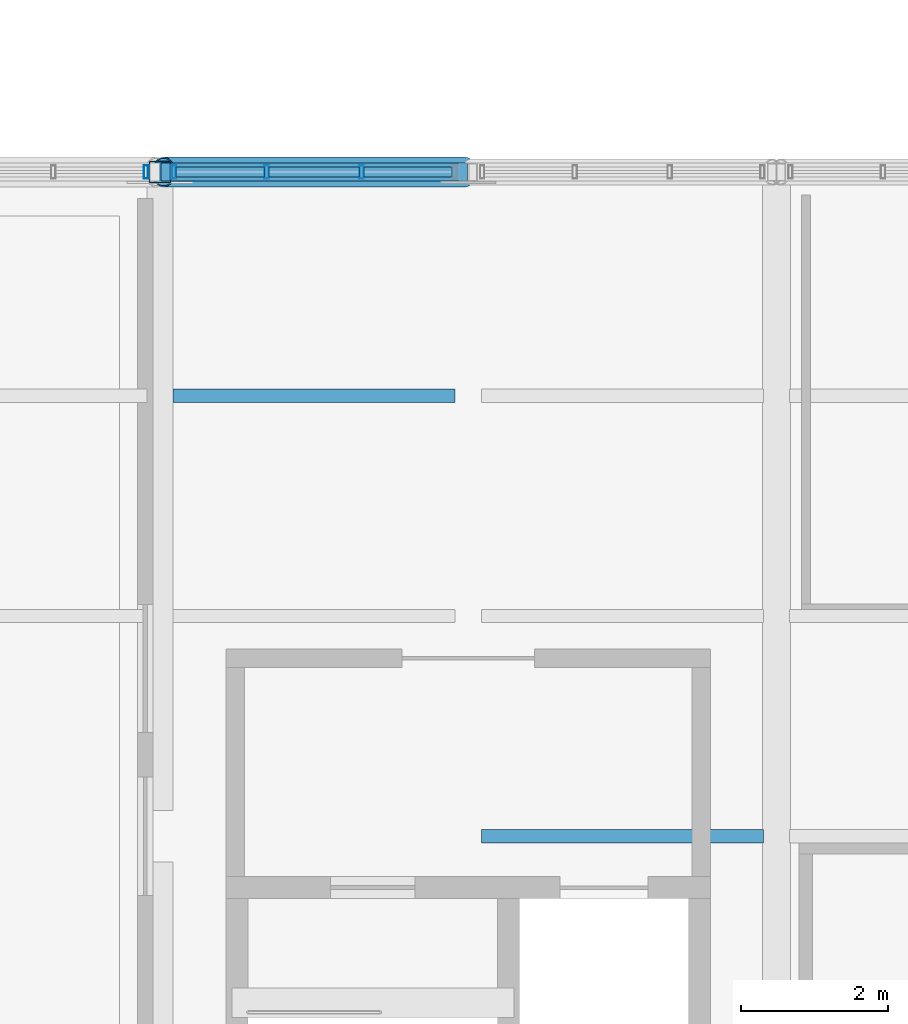
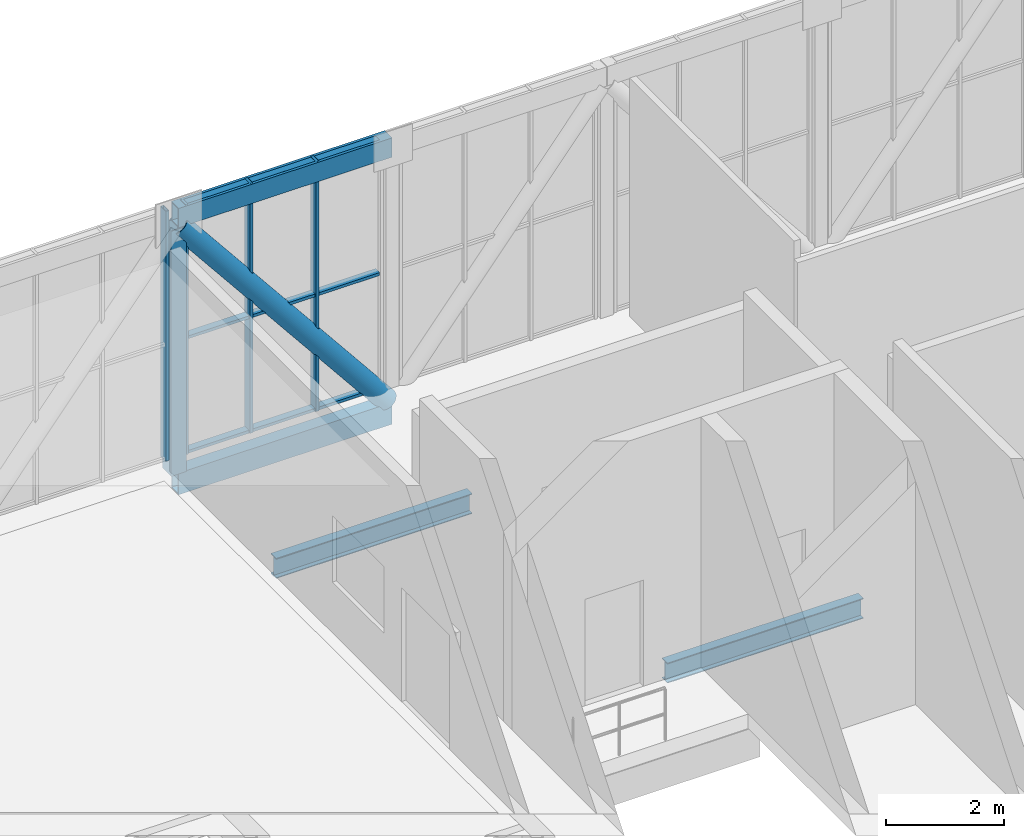
# One storey, part 13 of 58: 17 members, 2 beams, 2 elements without a shape of their own.
"""IFC4 building model written with IfcOpenShell, lengths in metres."""

from ifc_helpers import new_model, si_unit, direction, frame, origin, origin_2d, place, context, subcontext, project, spatial, hollow_rectangle, hollow_circle, i_section, extrude, material, material_profile, profile_set, type_object, element, aggregate, save


model = new_model("IFC4")

# Units and contexts
model_context = context("Model", 3, precision=1e-05, world=origin(), true_north=direction((0.0, 1.0)))
body_context = subcontext(model_context, "Body", "Model", "MODEL_VIEW")
ifc_project = project(units=[si_unit("LENGTHUNIT", "METRE"), si_unit("AREAUNIT", "SQUARE_METRE"), si_unit("VOLUMEUNIT", "CUBIC_METRE"), si_unit("PLANEANGLEUNIT", "RADIAN"), si_unit("MASSUNIT", "GRAM", prefix="KILO")], contexts=[model_context])

# Site, building, storey
site_placement = place(None, origin())
site = spatial("IfcSite", under=ifc_project, at=site_placement, CompositionType="ELEMENT")
building_placement = place(site_placement, origin())
building = spatial("IfcBuilding", under=site, at=building_placement, Name="Khurvash Pelagic Aquarium", CompositionType="ELEMENT")
storey_placement = place(building_placement, frame((0.0, 0.0, 24.60009765625)))
storey = spatial("IfcBuildingStorey", under=building, at=storey_placement, Name="L05", CompositionType="ELEMENT", Elevation=24.60009765625)

# Curtain wall, member
ifc_material_1 = material(Name="Anodised aluminium and low-E laminated glass", Category="aluminium")
curtain_wall_type = type_object("IfcCurtainWallType", Name="CW-01", PredefinedType="USERDEFINED", material=ifc_material_1)
curtain_wall_1_placement = place(storey_placement, origin())
curtain_wall_1 = element("IfcCurtainWall", 1, at=curtain_wall_1_placement, inside=storey, type_object=curtain_wall_type, Name="L05 North Sky-Bar Unitised Curtain Wall CW-01 P03", ObjectType="UNITISED CURTAIN WALL", PredefinedType="USERDEFINED")
ifc_material_2 = material(Name="Extruded aluminium AW-6063-T6", Category="aluminium")
ifc_material_profile_1 = material_profile(ifc_material_2, hollow_rectangle(XDim=0.06005859375, YDim=0.179931640625, WallThickness=0.00390625, at=origin_2d()), Name="CWM60X180X4")
ifc_profile_set_1 = profile_set([ifc_material_profile_1], Name="Extruded aluminium AW-6063-T6")
member_type_1 = type_object("IfcMemberType", Name="CM-01", PredefinedType="MULLION", material=ifc_profile_set_1)
member_1_placement = place(storey_placement, frame((25.010009765625, 29.75, 0.0), z_axis=(0.0, 0.0, 1.0), x_axis=(1.0, 0.0, 0.0)))
member_1 = element("IfcMember", 2, at=member_1_placement, type_object=member_type_1, Name="CW-01 mullion 4", PredefinedType="MULLION", context=body_context, shape_type="SweptSolid", body=[
    extrude(hollow_rectangle(XDim=0.06005859375, YDim=0.179931640625, WallThickness=0.00390625, at=origin_2d()), origin(), (0.0, 0.0, 1.0), 5.179931640625),
])
aggregate(curtain_wall_1, [member_1])

# Curtain wall, members
curtain_wall_2_placement = place(storey_placement, origin())
curtain_wall_2 = element("IfcCurtainWall", 3, at=curtain_wall_2_placement, inside=storey, type_object=curtain_wall_type, Name="L05 North Sky-Bar Unitised Curtain Wall CW-01 P04", ObjectType="UNITISED CURTAIN WALL", PredefinedType="USERDEFINED")
member_2_placement = place(storey_placement, frame((25.389892578125, 29.75, 0.0), z_axis=(0.0, 0.0, 1.0), x_axis=(1.0, 0.0, 0.0)))
member_2 = element("IfcMember", 4, at=member_2_placement, type_object=member_type_1, Name="CW-01 mullion 1", PredefinedType="MULLION", context=body_context, shape_type="SweptSolid", body=[
    extrude(hollow_rectangle(XDim=0.06005859375, YDim=0.179931640625, WallThickness=0.00390625, at=origin_2d()), origin(), (0.0, 0.0, 1.0), 5.179931640625),
])
member_3_placement = place(storey_placement, frame((26.6533203125, 29.75, 0.0), z_axis=(0.0, 0.0, 1.0), x_axis=(1.0, 0.0, 0.0)))
member_3 = element("IfcMember", 5, at=member_3_placement, type_object=member_type_1, Name="CW-01 mullion 2", PredefinedType="MULLION", context=body_context, shape_type="SweptSolid", body=[
    extrude(hollow_rectangle(XDim=0.06005859375, YDim=0.179931640625, WallThickness=0.00390625, at=origin_2d()), origin(), (0.0, 0.0, 1.0), 5.179931640625),
])
member_4_placement = place(storey_placement, frame((27.94677734375, 29.75, 0.0), z_axis=(0.0, 0.0, 1.0), x_axis=(1.0, 0.0, 0.0)))
member_4 = element("IfcMember", 6, at=member_4_placement, type_object=member_type_1, Name="CW-01 mullion 3", PredefinedType="MULLION", context=body_context, shape_type="SweptSolid", body=[
    extrude(hollow_rectangle(XDim=0.06005859375, YDim=0.179931640625, WallThickness=0.00390625, at=origin_2d()), origin(), (0.0, 0.0, 1.0), 5.179931640625),
])
ifc_material_profile_2 = material_profile(ifc_material_2, hollow_rectangle(XDim=0.139892578125, YDim=0.06005859375, WallThickness=0.00390625, at=origin_2d()), Name="CWT140X60X4")
ifc_profile_set_2 = profile_set([ifc_material_profile_2], Name="Extruded aluminium AW-6063-T6")
member_type_2 = type_object("IfcMemberType", Name="CT-01", PredefinedType="USERDEFINED", material=ifc_profile_set_2)
member_5_placement = place(storey_placement, frame((25.419921875, 29.75, 0.02978515625), z_axis=(1.0, 0.0, 0.0), x_axis=(0.0, 1.0, 0.0)))
member_5 = element("IfcMember", 7, at=member_5_placement, type_object=member_type_2, Name="CW-01 transom 1.1", ObjectType="TRANSOM", PredefinedType="USERDEFINED", context=body_context, shape_type="SweptSolid", body=[
    extrude(hollow_rectangle(XDim=0.139892578125, YDim=0.06005859375, WallThickness=0.00390625, at=origin_2d()), origin(), (0.0, 0.0, 1.0), 1.203369140625),
])
member_6_placement = place(storey_placement, frame((25.419921875, 29.75, 2.39990234375), z_axis=(1.0, 0.0, 0.0), x_axis=(0.0, 1.0, 0.0)))
member_6 = element("IfcMember", 8, at=member_6_placement, type_object=member_type_2, Name="CW-01 transom 1.2", ObjectType="TRANSOM", PredefinedType="USERDEFINED", context=body_context, shape_type="SweptSolid", body=[
    extrude(hollow_rectangle(XDim=0.139892578125, YDim=0.06005859375, WallThickness=0.00390625, at=origin_2d()), origin(), (0.0, 0.0, 1.0), 1.203369140625),
])
member_7_placement = place(storey_placement, frame((25.419921875, 29.75, 5.14990234375), z_axis=(1.0, 0.0, 0.0), x_axis=(0.0, 1.0, 0.0)))
member_7 = element("IfcMember", 9, at=member_7_placement, type_object=member_type_2, Name="CW-01 transom 1.3", ObjectType="TRANSOM", PredefinedType="USERDEFINED", context=body_context, shape_type="SweptSolid", body=[
    extrude(hollow_rectangle(XDim=0.139892578125, YDim=0.06005859375, WallThickness=0.00390625, at=origin_2d()), origin(), (0.0, 0.0, 1.0), 1.203369140625),
])
member_8_placement = place(storey_placement, frame((26.683349609375, 29.75, 0.02978515625), z_axis=(1.0, 0.0, 0.0), x_axis=(0.0, 1.0, 0.0)))
member_8 = element("IfcMember", 10, at=member_8_placement, type_object=member_type_2, Name="CW-01 transom 2.1", ObjectType="TRANSOM", PredefinedType="USERDEFINED", context=body_context, shape_type="SweptSolid", body=[
    extrude(hollow_rectangle(XDim=0.139892578125, YDim=0.06005859375, WallThickness=0.00390625, at=origin_2d()), origin(), (0.0, 0.0, 1.0), 1.2333984375),
])
member_9_placement = place(storey_placement, frame((26.683349609375, 29.75, 2.39990234375), z_axis=(1.0, 0.0, 0.0), x_axis=(0.0, 1.0, 0.0)))
member_9 = element("IfcMember", 11, at=member_9_placement, type_object=member_type_2, Name="CW-01 transom 2.2", ObjectType="TRANSOM", PredefinedType="USERDEFINED", context=body_context, shape_type="SweptSolid", body=[
    extrude(hollow_rectangle(XDim=0.139892578125, YDim=0.06005859375, WallThickness=0.00390625, at=origin_2d()), origin(), (0.0, 0.0, 1.0), 1.2333984375),
])
member_10_placement = place(storey_placement, frame((26.683349609375, 29.75, 5.14990234375), z_axis=(1.0, 0.0, 0.0), x_axis=(0.0, 1.0, 0.0)))
member_10 = element("IfcMember", 12, at=member_10_placement, type_object=member_type_2, Name="CW-01 transom 2.3", ObjectType="TRANSOM", PredefinedType="USERDEFINED", context=body_context, shape_type="SweptSolid", body=[
    extrude(hollow_rectangle(XDim=0.139892578125, YDim=0.06005859375, WallThickness=0.00390625, at=origin_2d()), origin(), (0.0, 0.0, 1.0), 1.2333984375),
])
member_11_placement = place(storey_placement, frame((27.9765625, 29.75, 0.02978515625), z_axis=(1.0, 0.0, 0.0), x_axis=(0.0, 1.0, 0.0)))
member_11 = element("IfcMember", 13, at=member_11_placement, type_object=member_type_2, Name="CW-01 transom 3.1", ObjectType="TRANSOM", PredefinedType="USERDEFINED", context=body_context, shape_type="SweptSolid", body=[
    extrude(hollow_rectangle(XDim=0.139892578125, YDim=0.06005859375, WallThickness=0.00390625, at=origin_2d()), origin(), (0.0, 0.0, 1.0), 1.203369140625),
])
member_12_placement = place(storey_placement, frame((27.9765625, 29.75, 2.39990234375), z_axis=(1.0, 0.0, 0.0), x_axis=(0.0, 1.0, 0.0)))
member_12 = element("IfcMember", 14, at=member_12_placement, type_object=member_type_2, Name="CW-01 transom 3.2", ObjectType="TRANSOM", PredefinedType="USERDEFINED", context=body_context, shape_type="SweptSolid", body=[
    extrude(hollow_rectangle(XDim=0.139892578125, YDim=0.06005859375, WallThickness=0.00390625, at=origin_2d()), origin(), (0.0, 0.0, 1.0), 1.203369140625),
])
member_13_placement = place(storey_placement, frame((27.9765625, 29.75, 5.14990234375), z_axis=(1.0, 0.0, 0.0), x_axis=(0.0, 1.0, 0.0)))
member_13 = element("IfcMember", 15, at=member_13_placement, type_object=member_type_2, Name="CW-01 transom 3.3", ObjectType="TRANSOM", PredefinedType="USERDEFINED", context=body_context, shape_type="SweptSolid", body=[
    extrude(hollow_rectangle(XDim=0.139892578125, YDim=0.06005859375, WallThickness=0.00390625, at=origin_2d()), origin(), (0.0, 0.0, 1.0), 1.203369140625),
])
aggregate(curtain_wall_2, [member_2, member_3, member_4, member_5, member_6, member_7, member_8, member_9, member_10, member_11, member_12, member_13])

# Beams
ifc_material_3 = material(Name="Steel ASTM A992 Grade 50", Category="steel")
ifc_material_profile_3 = material_profile(ifc_material_3, i_section(OverallWidth=0.180908203125, OverallDepth=0.4169921875, WebThickness=0.010986328125, FlangeThickness=0.018310546875, at=origin_2d()), Name="W16X57")
ifc_profile_set_3 = profile_set([ifc_material_profile_3], Name="Steel ASTM A992 Grade 50")
beam_type = type_object("IfcBeamType", Name="JS-03", PredefinedType="JOIST", material=ifc_profile_set_3)
beam_1_placement = place(storey_placement, frame((25.3798828125, 26.699951171875, -0.508544921875), z_axis=(1.0, 0.0, 0.0), x_axis=(0.0, 1.0, 0.0)))
element("IfcBeam", 16, at=beam_1_placement, inside=storey, type_object=beam_type, Name="L05 Sky-Bar Floor Joist JS-03 P04", PredefinedType="JOIST", context=body_context, shape_type="SweptSolid", body=[
    extrude(i_section(OverallWidth=0.180908203125, OverallDepth=0.4169921875, WebThickness=0.010986328125, FlangeThickness=0.018310546875, at=origin_2d()), origin(), (0.0, 0.0, 1.0), 3.840087890625),
])
beam_2_placement = place(storey_placement, frame((29.580078125, 20.699951171875, -0.508544921875), z_axis=(1.0, 0.0, 0.0), x_axis=(0.0, 1.0, 0.0)))
element("IfcBeam", 17, at=beam_2_placement, inside=storey, type_object=beam_type, Name="L05 Sky-Bar Floor Joist JS-03 P05", PredefinedType="JOIST", context=body_context, shape_type="SweptSolid", body=[
    extrude(i_section(OverallWidth=0.180908203125, OverallDepth=0.4169921875, WebThickness=0.010986328125, FlangeThickness=0.018310546875, at=origin_2d()), origin(), (0.0, 0.0, 1.0), 3.83984375),
])

# Members
ifc_material_4 = material(Name="Steel S355J2", Category="steel")
ifc_material_profile_4 = material_profile(ifc_material_4, hollow_rectangle(XDim=0.25, YDim=0.449951171875, WallThickness=0.02001953125, at=origin_2d()), Name="RHS450X250X20")
ifc_profile_set_4 = profile_set([ifc_material_profile_4], Name="Steel S355J2")
member_type_3 = type_object("IfcMemberType", Name="TC-01", PredefinedType="CHORD", material=ifc_profile_set_4)
member_14_placement = place(storey_placement, frame((25.2099609375, 29.75, -0.525146484375), z_axis=(1.0, 0.0, 0.0), x_axis=(0.0, 1.0, 0.0)))
element("IfcMember", 18, at=member_14_placement, inside=storey, type_object=member_type_3, Name="L05 North Sky-Bar Warren Truss Bottom Chord TC-01 P04", PredefinedType="CHORD", context=body_context, shape_type="SweptSolid", body=[
    extrude(hollow_rectangle(XDim=0.25, YDim=0.449951171875, WallThickness=0.02001953125, at=origin_2d()), origin(), (0.0, 0.0, 1.0), 4.179931640625),
])
ifc_material_profile_5 = material_profile(ifc_material_4, hollow_rectangle(XDim=0.25, YDim=0.39990234375, WallThickness=0.01611328125, at=origin_2d()), Name="RHS400X250X16")
ifc_profile_set_5 = profile_set([ifc_material_profile_5], Name="Steel S355J2")
member_type_4 = type_object("IfcMemberType", Name="TC-02", PredefinedType="CHORD", material=ifc_profile_set_5)
member_15_placement = place(storey_placement, frame((25.2099609375, 29.75, 4.97998046875), z_axis=(1.0, 0.0, 0.0), x_axis=(0.0, 1.0, 0.0)))
element("IfcMember", 19, at=member_15_placement, inside=storey, type_object=member_type_4, Name="L05 North Sky-Bar Warren Truss Top Chord TC-02 P04", PredefinedType="CHORD", context=body_context, shape_type="SweptSolid", body=[
    extrude(hollow_rectangle(XDim=0.25, YDim=0.39990234375, WallThickness=0.01611328125, at=origin_2d()), origin(), (0.0, 0.0, 1.0), 4.179931640625),
])
ifc_material_profile_6 = material_profile(ifc_material_4, hollow_circle(Radius=0.203125, WallThickness=0.01611328125, at=origin_2d()), Name="CHS406X16")
ifc_profile_set_6 = profile_set([ifc_material_profile_6], Name="Steel S355J2")
member_type_5 = type_object("IfcMemberType", Name="TD-01", PredefinedType="BRACE", material=ifc_profile_set_6)
member_16_placement = place(storey_placement, frame((25.25, 29.75, 4.77978515625), z_axis=(0.628073304864, 0.0, -0.778154177343), x_axis=(0.0, 1.0, 0.0)))
element("IfcMember", 20, at=member_16_placement, inside=storey, type_object=member_type_5, Name="L05 North Sky-Bar Warren Truss Diagonal TD-01 P04", PredefinedType="BRACE", context=body_context, shape_type="SweptSolid", body=[
    extrude(hollow_circle(Radius=0.203125, WallThickness=0.01611328125, at=origin_2d()), origin(), (0.0, 0.0, 1.0), 6.528076171875),
])
ifc_material_profile_7 = material_profile(ifc_material_4, hollow_rectangle(XDim=0.300048828125, YDim=0.300048828125, WallThickness=0.01611328125, at=origin_2d()), Name="SHS300X300X16")
ifc_profile_set_7 = profile_set([ifc_material_profile_7], Name="Steel S355J2")
member_type_6 = type_object("IfcMemberType", Name="TV-01", PredefinedType="POST", material=ifc_profile_set_7)
member_17_placement = place(storey_placement, frame((25.199951171875, 29.75, -0.300048828125), z_axis=(0.0, 0.0, 1.0), x_axis=(1.0, 0.0, 0.0)))
element("IfcMember", 21, at=member_17_placement, inside=storey, type_object=member_type_6, Name="L05 North Sky-Bar Truss Post TV-01 N04", PredefinedType="POST", context=body_context, shape_type="SweptSolid", body=[
    extrude(hollow_rectangle(XDim=0.300048828125, YDim=0.300048828125, WallThickness=0.01611328125, at=origin_2d()), origin(), (0.0, 0.0, 1.0), 5.079833984375),
])

save(model, "model.ifc")
